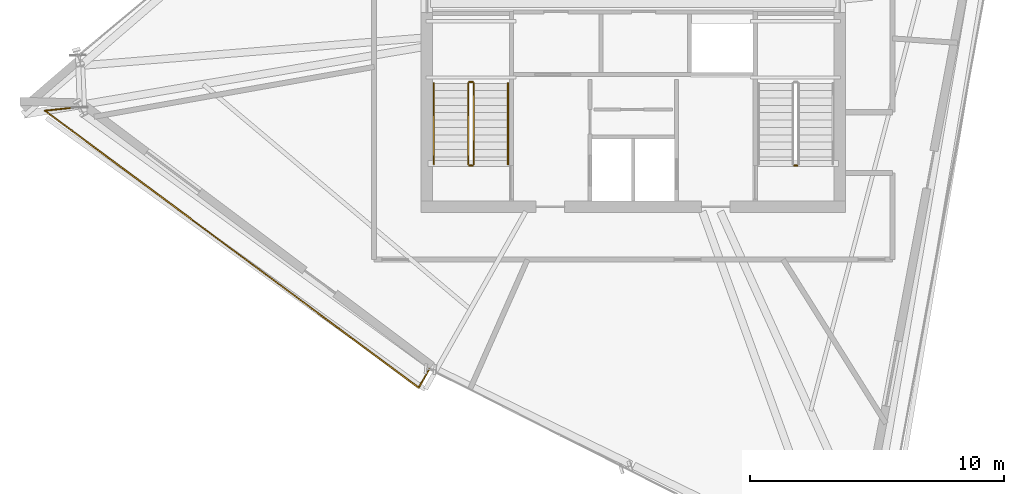
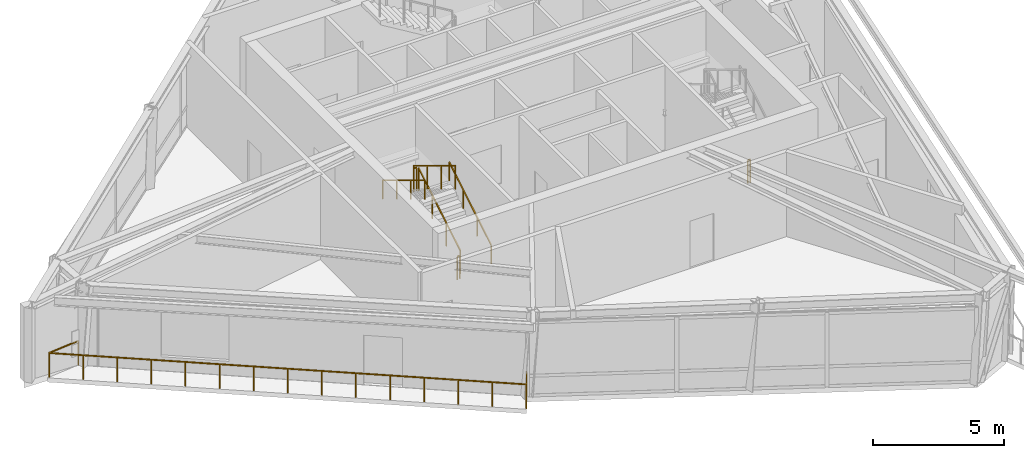
# One storey, part 19 of 21: 8 railings.
"""IFC4 building model written with IfcOpenShell, lengths in metres."""

from ifc_helpers import new_model, si_unit, direction, frame, origin, origin_2d, place, context, subcontext, project, spatial, rectangle, extrude, material, type_object, element, save


model = new_model("IFC4")

# Units and contexts
model_context = context("Model", 3, precision=1e-05, world=origin(), true_north=direction((0.0, 1.0)))
body_context = subcontext(model_context, "Body", "Model", "MODEL_VIEW")
ifc_project = project(units=[si_unit("LENGTHUNIT", "METRE"), si_unit("AREAUNIT", "SQUARE_METRE"), si_unit("VOLUMEUNIT", "CUBIC_METRE"), si_unit("PLANEANGLEUNIT", "RADIAN"), si_unit("MASSUNIT", "GRAM", prefix="KILO")], contexts=[model_context])

# Site, building, storey
site_placement = place(None, origin())
site = spatial("IfcSite", under=ifc_project, at=site_placement, CompositionType="ELEMENT")
building_placement = place(site_placement, origin())
building = spatial("IfcBuilding", under=site, at=building_placement, Name="Olszyna Solenne Hotel", CompositionType="ELEMENT")
storey_placement = place(building_placement, frame((0.0, 0.0, 277.699951171875)))
storey = spatial("IfcBuildingStorey", under=building, at=storey_placement, Name="L74", CompositionType="ELEMENT", Elevation=277.699951171875)

# Railings
ifc_material_1 = material(Name="Anodised bronze aluminium", Category="aluminium")
railing_type_1 = type_object("IfcRailingType", Name="GR-110", PredefinedType="BALUSTRADE", material=ifc_material_1)
railing_1_placement = place(storey_placement, frame((16.215087890625, 23.203857421875, 0.0)))
element("IfcRailing", 1, at=railing_1_placement, inside=storey, type_object=railing_type_1, Name="Loggia balcony balustrade guard GR-L74-LG2", PredefinedType="BALUSTRADE", context=body_context, shape_type="SweptSolid", body=[
    extrude(rectangle(XDim=0.048095703125, YDim=0.048095703125, at=origin_2d()), frame((0.0, 0.0, 1.1259765625), z_axis=(-0.994567360591, -0.104094981849, 0.0), x_axis=(0.104094981849, -0.994567360591, 0.0)), (0.0, 0.0, 1.0), 1.379150390625),
    extrude(rectangle(XDim=0.048095703125, YDim=0.048095703125, at=origin_2d()), frame((-1.37158203125, -0.1435546875, 1.1259765625), z_axis=(0.803362257902, -0.595490623418, 0.0), x_axis=(0.595490623418, 0.803362257902, 0.0)), (0.0, 0.0, 1.0), 18.307861328125),
    extrude(rectangle(XDim=0.048095703125, YDim=0.048095703125, at=origin_2d()), frame((13.336181640625, -11.045654296875, 1.1259765625), z_axis=(0.5027759587, 0.864416760222, 0.0), x_axis=(-0.864416760222, 0.5027759587, 0.0)), (0.0, 0.0, 1.0), 0.845947265625),
    extrude(rectangle(XDim=0.0419921875, YDim=0.0419921875, at=origin_2d()), origin(), (0.0, 0.0, 1.0), 1.101806640625),
    extrude(rectangle(XDim=0.0419921875, YDim=0.0419921875, at=origin_2d()), frame((-1.37158203125, -0.1435546875, 0.0)), (0.0, 0.0, 1.0), 1.101806640625),
    extrude(rectangle(XDim=0.0419921875, YDim=0.0419921875, at=origin_2d()), frame((-0.321044921875, -0.92236328125, 0.0)), (0.0, 0.0, 1.0), 1.101806640625),
    extrude(rectangle(XDim=0.0419921875, YDim=0.0419921875, at=origin_2d()), frame((0.7294921875, -1.700927734375, 0.0)), (0.0, 0.0, 1.0), 1.101806640625),
    extrude(rectangle(XDim=0.0419921875, YDim=0.0419921875, at=origin_2d()), frame((1.780029296875, -2.479736328125, 0.0)), (0.0, 0.0, 1.0), 1.101806640625),
    extrude(rectangle(XDim=0.0419921875, YDim=0.0419921875, at=origin_2d()), frame((2.83056640625, -3.258544921875, 0.0)), (0.0, 0.0, 1.0), 1.101806640625),
    extrude(rectangle(XDim=0.0419921875, YDim=0.0419921875, at=origin_2d()), frame((3.881103515625, -4.037109375, 0.0)), (0.0, 0.0, 1.0), 1.101806640625),
    extrude(rectangle(XDim=0.0419921875, YDim=0.0419921875, at=origin_2d()), frame((4.931640625, -4.81591796875, 0.0)), (0.0, 0.0, 1.0), 1.101806640625),
    extrude(rectangle(XDim=0.0419921875, YDim=0.0419921875, at=origin_2d()), frame((5.982421875, -5.5947265625, 0.0)), (0.0, 0.0, 1.0), 1.101806640625),
    extrude(rectangle(XDim=0.0419921875, YDim=0.0419921875, at=origin_2d()), frame((7.032958984375, -6.373291015625, 0.0)), (0.0, 0.0, 1.0), 1.101806640625),
    extrude(rectangle(XDim=0.0419921875, YDim=0.0419921875, at=origin_2d()), frame((8.08349609375, -7.152099609375, 0.0)), (0.0, 0.0, 1.0), 1.101806640625),
    extrude(rectangle(XDim=0.0419921875, YDim=0.0419921875, at=origin_2d()), frame((9.134033203125, -7.9306640625, 0.0)), (0.0, 0.0, 1.0), 1.101806640625),
    extrude(rectangle(XDim=0.0419921875, YDim=0.0419921875, at=origin_2d()), frame((10.1845703125, -8.70947265625, 0.0)), (0.0, 0.0, 1.0), 1.101806640625),
    extrude(rectangle(XDim=0.0419921875, YDim=0.0419921875, at=origin_2d()), frame((11.235107421875, -9.48828125, 0.0)), (0.0, 0.0, 1.0), 1.101806640625),
    extrude(rectangle(XDim=0.0419921875, YDim=0.0419921875, at=origin_2d()), frame((12.28564453125, -10.266845703125, 0.0)), (0.0, 0.0, 1.0), 1.101806640625),
    extrude(rectangle(XDim=0.0419921875, YDim=0.0419921875, at=origin_2d()), frame((13.336181640625, -11.045654296875, 0.0)), (0.0, 0.0, 1.0), 1.101806640625),
    extrude(rectangle(XDim=0.0419921875, YDim=0.0419921875, at=origin_2d()), frame((13.761474609375, -10.314453125, 0.0)), (0.0, 0.0, 1.0), 1.101806640625),
])
railing_2_placement = place(storey_placement, frame((31.719970703125, 20.949951171875, 0.175048828125)))
element("IfcRailing", 2, at=railing_2_placement, inside=storey, type_object=railing_type_1, Name="L74 ST1 stair guard 1", PredefinedType="BALUSTRADE", context=body_context, shape_type="SweptSolid", body=[
    extrude(rectangle(XDim=0.048095703125, YDim=0.048095703125, at=origin_2d()), frame((0.0, 0.0, 1.076171875), z_axis=(0.0, 0.856177665481, 0.516681531633), x_axis=(-1.0, 0.0, 0.0)), (0.0, 0.0, 1.0), 3.725830078125),
    extrude(rectangle(XDim=0.0419921875, YDim=0.0419921875, at=origin_2d()), origin(), (0.0, 0.0, 1.0), 1.052001953125),
    extrude(rectangle(XDim=0.0419921875, YDim=0.0419921875, at=origin_2d()), frame((0.0, 1.063232421875, 0.6416015625)), (0.0, 0.0, 1.0), 1.052001953125),
    extrude(rectangle(XDim=0.0419921875, YDim=0.0419921875, at=origin_2d()), frame((0.0, 2.126708984375, 1.283447265625)), (0.0, 0.0, 1.0), 1.052001953125),
    extrude(rectangle(XDim=0.0419921875, YDim=0.0419921875, at=origin_2d()), frame((0.0, 3.18994140625, 1.925048828125)), (0.0, 0.0, 1.0), 1.052001953125),
])
railing_3_placement = place(storey_placement, frame((31.669921875, 24.18994140625, 2.10009765625)))
element("IfcRailing", 3, at=railing_3_placement, inside=storey, type_object=railing_type_1, Name="L74 ST1 stair guard 2", PredefinedType="BALUSTRADE", context=body_context, shape_type="SweptSolid", body=[
    extrude(rectangle(XDim=0.048095703125, YDim=0.048095703125, at=origin_2d()), frame((0.0, 0.0, 1.076171875), z_axis=(-1.0, 0.0, 0.0), x_axis=(0.0, -1.0, 0.0)), (0.0, 0.0, 1.0), 0.119873046875),
    extrude(rectangle(XDim=0.0419921875, YDim=0.0419921875, at=origin_2d()), origin(), (0.0, 0.0, 1.0), 1.052001953125),
    extrude(rectangle(XDim=0.0419921875, YDim=0.0419921875, at=origin_2d()), frame((-0.119873046875, 0.0, 0.0)), (0.0, 0.0, 1.0), 1.052001953125),
])
railing_4_placement = place(storey_placement, frame((31.5, 24.139892578125, 2.275146484375)))
element("IfcRailing", 4, at=railing_4_placement, inside=storey, type_object=railing_type_1, Name="L74 ST1 stair guard 3", PredefinedType="BALUSTRADE", context=body_context, shape_type="SweptSolid", body=[
    extrude(rectangle(XDim=0.048095703125, YDim=0.048095703125, at=origin_2d()), frame((0.0, 0.0, 1.076171875), z_axis=(0.0, -0.856206652436, 0.516633495163), x_axis=(1.0, 0.0, 0.0)), (0.0, 0.0, 1.0), 3.7255859375),
    extrude(rectangle(XDim=0.0419921875, YDim=0.0419921875, at=origin_2d()), origin(), (0.0, 0.0, 1.0), 1.052001953125),
    extrude(rectangle(XDim=0.0419921875, YDim=0.0419921875, at=origin_2d()), frame((0.0, -1.063232421875, 0.6416015625)), (0.0, 0.0, 1.0), 1.052001953125),
    extrude(rectangle(XDim=0.0419921875, YDim=0.0419921875, at=origin_2d()), frame((0.0, -2.126708984375, 1.283203125)), (0.0, 0.0, 1.0), 1.052001953125),
    extrude(rectangle(XDim=0.0419921875, YDim=0.0419921875, at=origin_2d()), frame((0.0, -3.18994140625, 1.9248046875)), (0.0, 0.0, 1.0), 1.052001953125),
])
for number, where, name in (
    (5, (31.669921875, 20.89990234375, 0.0), "L74 ST1 stair guard 4"),
    (6, (44.449951171875, 20.89990234375, 0.0), "L74 ST2 stair guard 4"),
):
    element("IfcRailing", number, at=place(storey_placement, frame(where)), inside=storey, type_object=railing_type_1, Name=name, PredefinedType="BALUSTRADE", context=body_context, shape_type="SweptSolid", body=[
        extrude(rectangle(XDim=0.048095703125, YDim=0.048095703125, at=origin_2d()), frame((0.0, 0.0, 1.076171875), z_axis=(-1.0, 0.0, 0.0), x_axis=(0.0, -1.0, 0.0)), (0.0, 0.0, 1.0), 0.119873046875),
        extrude(rectangle(XDim=0.0419921875, YDim=0.0419921875, at=origin_2d()), origin(), (0.0, 0.0, 1.0), 1.052001953125),
        extrude(rectangle(XDim=0.0419921875, YDim=0.0419921875, at=origin_2d()), frame((-0.119873046875, 0.0, 0.0)), (0.0, 0.0, 1.0), 1.052001953125),
    ])
ifc_material_2 = material(Name="Steel S355J2", Category="steel")
railing_type_2 = type_object("IfcRailingType", Name="HR-090", PredefinedType="HANDRAIL", material=ifc_material_2)
railing_5_placement = place(storey_placement, frame((33.070068359375, 20.949951171875, 0.175048828125)))
element("IfcRailing", 7, at=railing_5_placement, inside=storey, type_object=railing_type_2, Name="L74 ST1 stair handrail 1", PredefinedType="HANDRAIL", context=body_context, shape_type="SweptSolid", body=[
    extrude(rectangle(XDim=0.048095703125, YDim=0.048095703125, at=origin_2d()), frame((0.0, 0.0, 0.8759765625), z_axis=(0.0, 0.856177665481, 0.516681531633), x_axis=(-1.0, 0.0, 0.0)), (0.0, 0.0, 1.0), 3.725830078125),
    extrude(rectangle(XDim=0.0419921875, YDim=0.0419921875, at=origin_2d()), origin(), (0.0, 0.0, 1.0), 0.851806640625),
    extrude(rectangle(XDim=0.0419921875, YDim=0.0419921875, at=origin_2d()), frame((0.0, 1.063232421875, 0.6416015625)), (0.0, 0.0, 1.0), 0.851806640625),
    extrude(rectangle(XDim=0.0419921875, YDim=0.0419921875, at=origin_2d()), frame((0.0, 2.126708984375, 1.283447265625)), (0.0, 0.0, 1.0), 0.851806640625),
    extrude(rectangle(XDim=0.0419921875, YDim=0.0419921875, at=origin_2d()), frame((0.0, 3.18994140625, 1.925048828125)), (0.0, 0.0, 1.0), 0.851806640625),
])
railing_6_placement = place(storey_placement, frame((30.14990234375, 24.139892578125, 2.275146484375)))
element("IfcRailing", 8, at=railing_6_placement, inside=storey, type_object=railing_type_2, Name="L74 ST1 stair handrail 2", PredefinedType="HANDRAIL", context=body_context, shape_type="SweptSolid", body=[
    extrude(rectangle(XDim=0.048095703125, YDim=0.048095703125, at=origin_2d()), frame((0.0, 0.0, 0.8759765625), z_axis=(0.0, -0.856206652436, 0.516633495163), x_axis=(1.0, 0.0, 0.0)), (0.0, 0.0, 1.0), 3.7255859375),
    extrude(rectangle(XDim=0.0419921875, YDim=0.0419921875, at=origin_2d()), origin(), (0.0, 0.0, 1.0), 0.851806640625),
    extrude(rectangle(XDim=0.0419921875, YDim=0.0419921875, at=origin_2d()), frame((0.0, -1.063232421875, 0.6416015625)), (0.0, 0.0, 1.0), 0.851806640625),
    extrude(rectangle(XDim=0.0419921875, YDim=0.0419921875, at=origin_2d()), frame((0.0, -2.126708984375, 1.283203125)), (0.0, 0.0, 1.0), 0.851806640625),
    extrude(rectangle(XDim=0.0419921875, YDim=0.0419921875, at=origin_2d()), frame((0.0, -3.18994140625, 1.9248046875)), (0.0, 0.0, 1.0), 0.851806640625),
])

save(model, "model.ifc")
